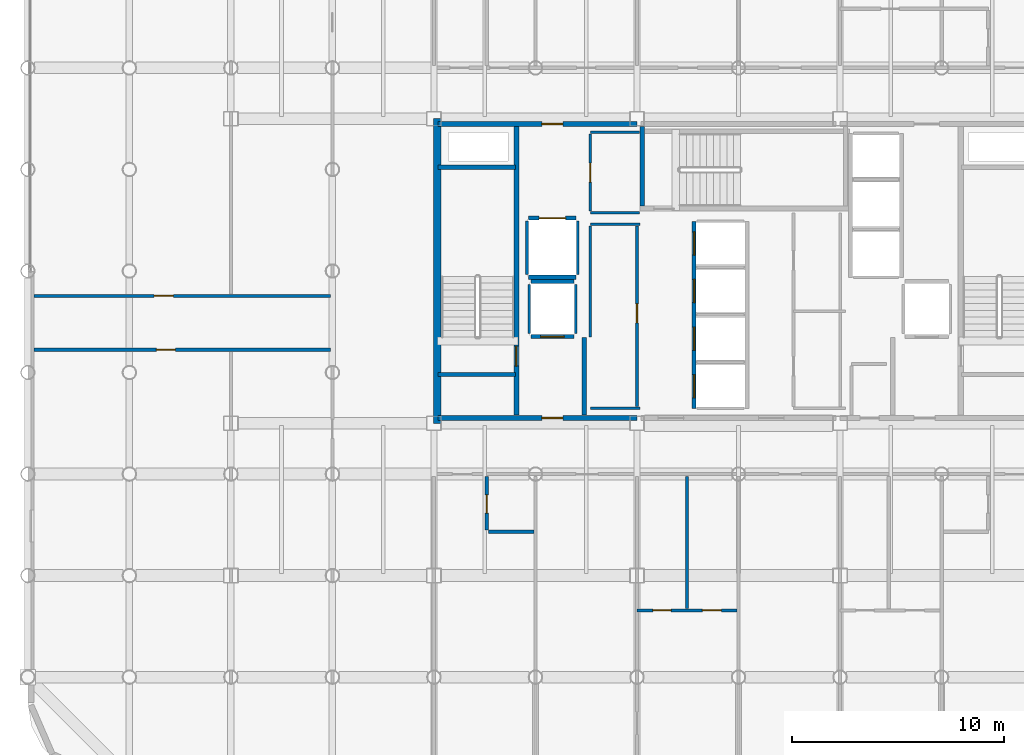
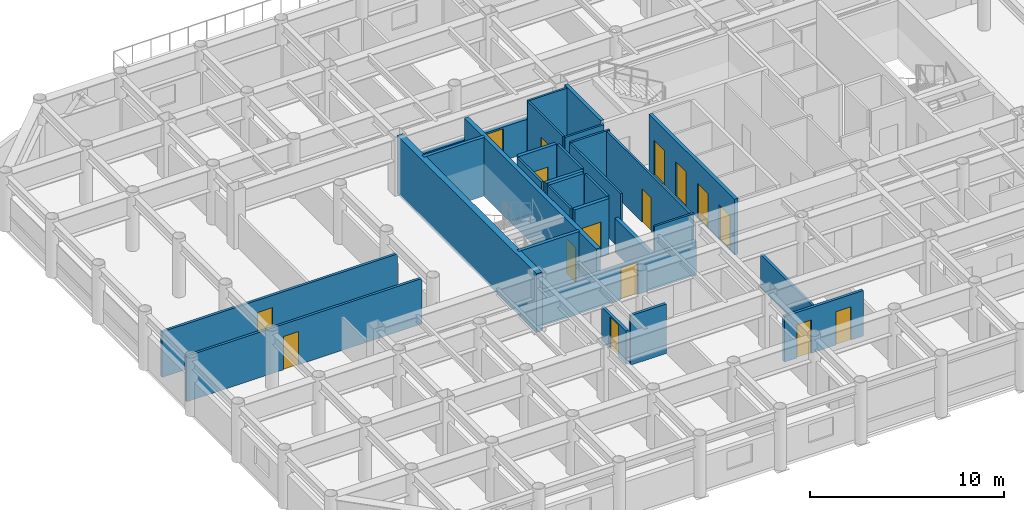
# One storey, part 17 of 22: 30 walls, 16 doors, 16 openings.
"""IFC4 building model written with IfcOpenShell, lengths in metres."""

from ifc_helpers import new_model, si_unit, direction, frame, frame_2d, origin, place, context, subcontext, project, spatial, rectangle, extrude, material, layer, layer_set, type_object, element, fill, save


model = new_model("IFC4")

# Units and contexts
model_context = context("Model", 3, precision=1e-05, world=origin(), true_north=direction((0.0, 1.0)))
body_context = subcontext(model_context, "Body", "Model", "MODEL_VIEW")
ifc_project = project(units=[si_unit("LENGTHUNIT", "METRE"), si_unit("AREAUNIT", "SQUARE_METRE"), si_unit("VOLUMEUNIT", "CUBIC_METRE"), si_unit("PLANEANGLEUNIT", "RADIAN"), si_unit("MASSUNIT", "GRAM", prefix="KILO")], contexts=[model_context])

# Site, building, storey
site_placement = place(None, origin())
site = spatial("IfcSite", under=ifc_project, at=site_placement, CompositionType="ELEMENT")
building_placement = place(site_placement, origin())
building = spatial("IfcBuilding", under=site, at=building_placement, Name="Kallvorn Hotel Tower", CompositionType="ELEMENT")
storey_placement = place(building_placement, frame((0.0, 0.0, 154.39990234375)))
storey = spatial("IfcBuildingStorey", under=building, at=storey_placement, Name="L38", CompositionType="ELEMENT", Elevation=154.39990234375)

# Wall
ifc_material_1 = material(Name="Concrete C50/60", Category="concrete")
ifc_layer_1 = layer(ifc_material_1, 0.35009765625)
ifc_layer_set_1 = layer_set([ifc_layer_1], Name="WL_CORE_350")
wall_type_1 = type_object("IfcWallType", Name="WL_CORE_350", PredefinedType="SHEAR", material=ifc_layer_set_1)
wall_1_placement = place(storey_placement, frame((-14.239990234375, -7.199951171875, -0.179931640625), z_axis=(0.0, 0.0, 1.0), x_axis=(0.0, 1.0, 0.0)))
element("IfcWall", 1, at=wall_1_placement, inside=storey, type_object=wall_type_1, Name="L38 Core West Shear Wall", PredefinedType="SHEAR", context=body_context, shape_type="SweptSolid", body=[
    extrude(rectangle(XDim=14.39990234375, YDim=0.35009765625, at=frame_2d((7.199951171875, 0.0))), origin(), (0.0, 0.0, 1.0), 3.699951171875),
])

# Wall, openings, doors
ifc_material_2 = material(Name="Fire-rated double-layer acoustic gypsum drywall EI 60")
ifc_layer_2 = layer(ifc_material_2, 0.159912109375)
ifc_layer_set_2 = layer_set([ifc_layer_2], Name="WL_DEMISE_160")
wall_type_2 = type_object("IfcWallType", Name="WL_DEMISE_160", PredefinedType="PARTITIONING", material=ifc_layer_set_2)
wall_2_placement = place(storey_placement, frame((-4.800048828125, -16.050048828125, 0.0), z_axis=(0.0, 0.0, 1.0), x_axis=(1.0, 0.0, 0.0)))
wall_2 = element("IfcWall", 2, at=wall_2_placement, inside=storey, type_object=wall_type_2, Name="L38 Suite 3802 Executive Bedroom Partition", PredefinedType="PARTITIONING", context=body_context, shape_type="SweptSolid", body=[
    extrude(rectangle(XDim=4.719970703125, YDim=0.159912109375, at=frame_2d((2.35986328125, 0.0))), origin(), (0.0, 0.0, 1.0), 2.8701171875),
])
opening_1_placement = place(wall_2_placement, frame((0.75, 0.0, 0.0)))
opening_1 = element("IfcOpeningElement", 3, at=opening_1_placement, cuts=wall_2, Name="Opening BD-I", PredefinedType="OPENING", context=body_context, shape_type="SweptSolid", body=[
    extrude(rectangle(XDim=0.860107421875, YDim=2.10009765625, at=frame_2d((0.43017578125, 1.050048828125))), frame((0.0, 0.094970703125, 0.0), z_axis=(0.0, -1.0, 0.0), x_axis=(1.0, 0.0, 0.0)), (0.0, 0.0, 1.0), 0.18994140625),
])
opening_2_placement = place(wall_2_placement, frame((3.090087890625, 0.0, 0.0)))
opening_2 = element("IfcOpeningElement", 4, at=opening_2_placement, cuts=wall_2, Name="Opening SVD1", PredefinedType="OPENING", context=body_context, shape_type="SweptSolid", body=[
    extrude(rectangle(XDim=0.89990234375, YDim=2.10009765625, at=frame_2d((0.449951171875, 1.050048828125))), frame((0.0, 0.094970703125, 0.0), z_axis=(0.0, -1.0, 0.0), x_axis=(1.0, 0.0, 0.0)), (0.0, 0.0, 1.0), 0.18994140625),
])
ifc_material_3 = material(Name="Solid-core walnut veneer fire-rated timber door leaf", Category="wood")
door_type_1 = type_object("IfcDoorType", Name="DR_BATH_860x2100", OperationType="NOTDEFINED", PredefinedType="DOOR", material=ifc_material_3)
door_1_placement = place(opening_1_placement, origin())
door_1 = element("IfcDoor", 5, at=door_1_placement, inside=storey, type_object=door_type_1, Name="L38 Suite 3802 En-Suite Bathroom Door", OperationType="SINGLE_SWING_LEFT", OverallHeight=2.10009765625, OverallWidth=0.860107421875, PredefinedType="DOOR", context=body_context, shape_type="SweptSolid", body=[
    extrude(rectangle(XDim=0.860107421875, YDim=2.10009765625, at=frame_2d((0.43017578125, 1.050048828125))), frame((0.0, 0.02490234375, 0.0), z_axis=(0.0, -1.0, 0.0), x_axis=(1.0, 0.0, 0.0)), (0.0, 0.0, 1.0), 0.050048828125),
])
fill(opening_1, door_1)
ifc_material_4 = material(Name="Galvanised painted steel fire-rated door assembly", Category="steel")
door_type_2 = type_object("IfcDoorType", Name="DR_SERV_900x2100", OperationType="NOTDEFINED", PredefinedType="DOOR", material=ifc_material_4)
door_2_placement = place(opening_2_placement, origin())
door_2 = element("IfcDoor", 6, at=door_2_placement, inside=storey, type_object=door_type_2, Name="L38 Suite 3802 Walk-In Dressing Closet Door", OperationType="SINGLE_SWING_LEFT", OverallHeight=2.10009765625, OverallWidth=0.89990234375, PredefinedType="DOOR", context=body_context, shape_type="SweptSolid", body=[
    extrude(rectangle(XDim=0.89990234375, YDim=2.10009765625, at=frame_2d((0.449951171875, 1.050048828125))), frame((0.0, 0.02490234375, 0.0), z_axis=(0.0, -1.0, 0.0), x_axis=(1.0, 0.0, 0.0)), (0.0, 0.0, 1.0), 0.050048828125),
])
fill(opening_2, door_2)

# Wall
wall_3_placement = place(storey_placement, frame((-11.81005859375, -12.320068359375, 0.0), z_axis=(0.0, 0.0, 1.0), x_axis=(1.0, 0.0, 0.0)))
element("IfcWall", 7, at=wall_3_placement, inside=storey, type_object=wall_type_2, Name="L38 Suite 3801 Superior Twin Room Partition", PredefinedType="PARTITIONING", context=body_context, shape_type="SweptSolid", body=[
    extrude(rectangle(XDim=2.130126953125, YDim=0.159912109375, at=frame_2d((1.06494140625, 0.0))), origin(), (0.0, 0.0, 1.0), 3.1201171875),
])

# Wall, opening, door
wall_4_placement = place(storey_placement, frame((-11.905029296875, -12.235107421875, 0.0), z_axis=(0.0, 0.0, 1.0), x_axis=(0.0, 1.0, 0.0)))
wall_4 = element("IfcWall", 8, at=wall_4_placement, inside=storey, type_object=wall_type_2, Name="L38 Suite 3801 Superior Twin Room Partition", PredefinedType="PARTITIONING", context=body_context, shape_type="SweptSolid", body=[
    extrude(rectangle(XDim=2.51513671875, YDim=0.159912109375, at=frame_2d((1.257568359375, 0.0))), origin(), (0.0, 0.0, 1.0), 2.1201171875),
])
opening_3_placement = place(wall_4_placement, frame((0.784912109375, 0.0, 0.0)))
opening_3 = element("IfcOpeningElement", 9, at=opening_3_placement, cuts=wall_4, Name="Opening BD-IA", PredefinedType="OPENING", context=body_context, shape_type="SweptSolid", body=[
    extrude(rectangle(XDim=0.860107421875, YDim=2.02001953125, at=frame_2d((0.43017578125, 1.010009765625))), frame((0.0, 0.094970703125, 0.0), z_axis=(0.0, -1.0, 0.0), x_axis=(1.0, 0.0, 0.0)), (0.0, 0.0, 1.0), 0.18994140625),
])
ifc_material_5 = material(Name="Solid-core walnut veneer fire-rated timber door leaf", Category="wood")
door_type_3 = type_object("IfcDoorType", Name="DR_BATH_860x2020", OperationType="NOTDEFINED", PredefinedType="DOOR", material=ifc_material_5)
door_3_placement = place(opening_3_placement, origin())
door_3 = element("IfcDoor", 10, at=door_3_placement, inside=storey, type_object=door_type_3, Name="L38 Suite 3801 En-Suite Bathroom Door", OperationType="SINGLE_SWING_RIGHT", OverallHeight=2.02001953125, OverallWidth=0.860107421875, PredefinedType="DOOR", context=body_context, shape_type="SweptSolid", body=[
    extrude(rectangle(XDim=0.860107421875, YDim=2.02001953125, at=frame_2d((0.43017578125, 1.010009765625))), frame((0.0, 0.02490234375, 0.0), z_axis=(0.0, -1.0, 0.0), x_axis=(1.0, 0.0, 0.0)), (0.0, 0.0, 1.0), 0.050048828125),
])
fill(opening_3, door_3)

# Walls
ifc_material_6 = material(Name="Concrete C40/50", Category="concrete")
ifc_layer_3 = layer(ifc_material_6, 0.219970703125)
ifc_layer_set_3 = layer_set([ifc_layer_3], Name="WL_FFL_220")
wall_type_3 = type_object("IfcWallType", Name="WL_FFL_220", PredefinedType="SOLIDWALL", material=ifc_layer_set_3)
wall_5_placement = place(storey_placement, frame((-7.300048828125, -6.820068359375, 0.0), z_axis=(0.0, 0.0, 1.0), x_axis=(0.0, 1.0, 0.0)))
element("IfcWall", 11, at=wall_5_placement, inside=storey, type_object=wall_type_3, Name="L38 Firefighting Lobby West Divider Wall", PredefinedType="SOLIDWALL", context=body_context, shape_type="SweptSolid", body=[
    extrude(rectangle(XDim=3.670166015625, YDim=0.219970703125, at=frame_2d((1.8349609375, 0.0))), origin(), (0.0, 0.0, 1.0), 2.1201171875),
])
ifc_material_7 = material(Name="Concrete C40/50", Category="concrete")
ifc_layer_4 = layer(ifc_material_7, 0.199951171875)
ifc_layer_set_4 = layer_set([ifc_layer_4], Name="WL_HOIST_200")
wall_type_4 = type_object("IfcWallType", Name="WL_HOIST_200", PredefinedType="SOLIDWALL", material=ifc_layer_set_4)
for number, where, z_axis, x_axis, name in (
    (12, (-14.199951171875, -4.89990234375, -0.179931640625), (0.0, 0.0, 1.0), (1.0, 0.0, 0.0), "L38 Stair ST1 South Wall"),
    (13, (-14.199951171875, 4.89990234375, -0.179931640625), (0.0, 0.0, 1.0), (1.0, 0.0, 0.0), "L38 Stair ST1 North Wall"),
):
    element("IfcWall", number, at=place(storey_placement, frame(where, z_axis=z_axis, x_axis=x_axis)), inside=storey, type_object=wall_type_4, Name=name, PredefinedType="SOLIDWALL", context=body_context, shape_type="SweptSolid", body=[
        extrude(rectangle(XDim=3.64990234375, YDim=0.199951171875, at=frame_2d((1.824951171875, 0.0))), origin(), (0.0, 0.0, 1.0), 3.699951171875),
    ])
wall_6_placement = place(storey_placement, frame((-4.550048828125, 3.080078125, -0.179931640625), z_axis=(0.0, 0.0, 1.0), x_axis=(0.0, 1.0, 0.0)))
element("IfcWall", 14, at=wall_6_placement, inside=storey, type_object=wall_type_4, Name="L38 Stair ST3 West Wall", PredefinedType="SOLIDWALL", context=body_context, shape_type="SweptSolid", body=[
    extrude(rectangle(XDim=3.739990234375, YDim=0.199951171875, at=frame_2d((1.8701171875, 0.0))), origin(), (0.0, 0.0, 1.0), 3.699951171875),
])

# Wall, openings, doors
wall_7_placement = place(storey_placement, frame((-2.10009765625, -6.5, 0.0), z_axis=(0.0, 0.0, 1.0), x_axis=(0.0, 1.0, 0.0)))
wall_7 = element("IfcWall", 15, at=wall_7_placement, inside=storey, type_object=wall_type_4, Name="L38 Lift Bank B2 Landing Wall", PredefinedType="SOLIDWALL", context=body_context, shape_type="SweptSolid", body=[
    extrude(rectangle(XDim=8.85009765625, YDim=0.199951171875, at=frame_2d((4.425048828125, 0.0))), origin(), (0.0, 0.0, 1.0), 3.52001953125),
])
opening_4_placement = place(wall_7_placement, frame((0.5, 0.0, 0.0)))
opening_4 = element("IfcOpeningElement", 16, at=opening_4_placement, cuts=wall_7, Name="Opening LD-PL-05", PredefinedType="OPENING", context=body_context, shape_type="SweptSolid", body=[
    extrude(rectangle(XDim=1.10009765625, YDim=2.199951171875, at=frame_2d((0.550048828125, 1.10009765625))), frame((0.0, 0.114990234375, 0.0), z_axis=(0.0, -1.0, 0.0), x_axis=(1.0, 0.0, 0.0)), (0.0, 0.0, 1.0), 0.22998046875),
])
opening_5_placement = place(wall_7_placement, frame((2.75, 0.0, 0.0)))
opening_5 = element("IfcOpeningElement", 17, at=opening_5_placement, cuts=wall_7, Name="Opening LD-PL-06", PredefinedType="OPENING", context=body_context, shape_type="SweptSolid", body=[
    extrude(rectangle(XDim=1.10009765625, YDim=2.199951171875, at=frame_2d((0.550048828125, 1.10009765625))), frame((0.0, 0.114990234375, 0.0), z_axis=(0.0, -1.0, 0.0), x_axis=(1.0, 0.0, 0.0)), (0.0, 0.0, 1.0), 0.22998046875),
])
opening_6_placement = place(wall_7_placement, frame((5.0, 0.0, 0.0)))
opening_6 = element("IfcOpeningElement", 18, at=opening_6_placement, cuts=wall_7, Name="Opening LD-PL-07", PredefinedType="OPENING", context=body_context, shape_type="SweptSolid", body=[
    extrude(rectangle(XDim=1.10009765625, YDim=2.199951171875, at=frame_2d((0.550048828125, 1.10009765625))), frame((0.0, 0.114990234375, 0.0), z_axis=(0.0, -1.0, 0.0), x_axis=(1.0, 0.0, 0.0)), (0.0, 0.0, 1.0), 0.22998046875),
])
opening_7_placement = place(wall_7_placement, frame((7.25, 0.0, 0.0)))
opening_7 = element("IfcOpeningElement", 19, at=opening_7_placement, cuts=wall_7, Name="Opening LD-PL-08", PredefinedType="OPENING", context=body_context, shape_type="SweptSolid", body=[
    extrude(rectangle(XDim=1.10009765625, YDim=2.199951171875, at=frame_2d((0.550048828125, 1.10009765625))), frame((0.0, 0.114990234375, 0.0), z_axis=(0.0, -1.0, 0.0), x_axis=(1.0, 0.0, 0.0)), (0.0, 0.0, 1.0), 0.22998046875),
])
ifc_material_8 = material(Name="Brushed stainless-steel automatic sliding lift landing door", Category="steel")
door_type_4 = type_object("IfcDoorType", Name="LD_PASS_1100x2200", OperationType="SLIDING_TO_LEFT", PredefinedType="DOOR", material=ifc_material_8)
door_4_placement = place(opening_4_placement, origin())
door_4 = element("IfcDoor", 20, at=door_4_placement, inside=storey, type_object=door_type_4, Name="L38 Lift Landing Sliding Door LD-PL-05", OperationType="SLIDING_TO_LEFT", OverallHeight=2.199951171875, OverallWidth=1.10009765625, PredefinedType="DOOR", context=body_context, shape_type="SweptSolid", body=[
    extrude(rectangle(XDim=1.10009765625, YDim=2.199951171875, at=frame_2d((0.550048828125, 1.10009765625))), frame((0.0, 0.02490234375, 0.0), z_axis=(0.0, -1.0, 0.0), x_axis=(1.0, 0.0, 0.0)), (0.0, 0.0, 1.0), 0.050048828125),
])
fill(opening_4, door_4)
door_5_placement = place(opening_5_placement, origin())
door_5 = element("IfcDoor", 21, at=door_5_placement, inside=storey, type_object=door_type_4, Name="L38 Lift Landing Sliding Door LD-PL-06", OperationType="SLIDING_TO_LEFT", OverallHeight=2.199951171875, OverallWidth=1.10009765625, PredefinedType="DOOR", context=body_context, shape_type="SweptSolid", body=[
    extrude(rectangle(XDim=1.10009765625, YDim=2.199951171875, at=frame_2d((0.550048828125, 1.10009765625))), frame((0.0, 0.02490234375, 0.0), z_axis=(0.0, -1.0, 0.0), x_axis=(1.0, 0.0, 0.0)), (0.0, 0.0, 1.0), 0.050048828125),
])
fill(opening_5, door_5)
door_6_placement = place(opening_6_placement, origin())
door_6 = element("IfcDoor", 22, at=door_6_placement, inside=storey, type_object=door_type_4, Name="L38 Lift Landing Sliding Door LD-PL-07", OperationType="SLIDING_TO_LEFT", OverallHeight=2.199951171875, OverallWidth=1.10009765625, PredefinedType="DOOR", context=body_context, shape_type="SweptSolid", body=[
    extrude(rectangle(XDim=1.10009765625, YDim=2.199951171875, at=frame_2d((0.550048828125, 1.10009765625))), frame((0.0, 0.02490234375, 0.0), z_axis=(0.0, -1.0, 0.0), x_axis=(1.0, 0.0, 0.0)), (0.0, 0.0, 1.0), 0.050048828125),
])
fill(opening_6, door_6)
door_7_placement = place(opening_7_placement, origin())
door_7 = element("IfcDoor", 23, at=door_7_placement, inside=storey, type_object=door_type_4, Name="L38 Lift Landing Sliding Door LD-PL-08", OperationType="SLIDING_TO_LEFT", OverallHeight=2.199951171875, OverallWidth=1.10009765625, PredefinedType="DOOR", context=body_context, shape_type="SweptSolid", body=[
    extrude(rectangle(XDim=1.10009765625, YDim=2.199951171875, at=frame_2d((0.550048828125, 1.10009765625))), frame((0.0, 0.02490234375, 0.0), z_axis=(0.0, -1.0, 0.0), x_axis=(1.0, 0.0, 0.0)), (0.0, 0.0, 1.0), 0.050048828125),
])
fill(opening_7, door_7)

# Wall, opening, door
wall_8_placement = place(storey_placement, frame((-9.820068359375, -3.10009765625, 0.0), z_axis=(0.0, 0.0, 1.0), x_axis=(1.0, 0.0, 0.0)))
wall_8 = element("IfcWall", 24, at=wall_8_placement, inside=storey, type_object=wall_type_4, Name="L38 FL-1 Landing Wall", PredefinedType="SOLIDWALL", context=body_context, shape_type="SweptSolid", body=[
    extrude(rectangle(XDim=2.0400390625, YDim=0.199951171875, at=frame_2d((1.02001953125, 0.0))), origin(), (0.0, 0.0, 1.0), 3.52001953125),
])
opening_8_placement = place(wall_8_placement, frame((0.469970703125, 0.0, 0.0)))
opening_8 = element("IfcOpeningElement", 25, at=opening_8_placement, cuts=wall_8, Name="Opening LD-FL-1", PredefinedType="OPENING", context=body_context, shape_type="SweptSolid", body=[
    extrude(rectangle(XDim=1.10009765625, YDim=2.199951171875, at=frame_2d((0.550048828125, 1.10009765625))), frame((0.0, 0.114990234375, 0.0), z_axis=(0.0, -1.0, 0.0), x_axis=(1.0, 0.0, 0.0)), (0.0, 0.0, 1.0), 0.22998046875),
])
door_8_placement = place(opening_8_placement, origin())
door_8 = element("IfcDoor", 26, at=door_8_placement, inside=storey, type_object=door_type_4, Name="L38 Lift Landing Sliding Door LD-FL-1", OperationType="SLIDING_TO_LEFT", OverallHeight=2.199951171875, OverallWidth=1.10009765625, PredefinedType="DOOR", context=body_context, shape_type="SweptSolid", body=[
    extrude(rectangle(XDim=1.10009765625, YDim=2.199951171875, at=frame_2d((0.550048828125, 1.10009765625))), frame((0.0, 0.02490234375, 0.0), z_axis=(0.0, -1.0, 0.0), x_axis=(1.0, 0.0, 0.0)), (0.0, 0.0, 1.0), 0.050048828125),
])
fill(opening_8, door_8)

# Wall
wall_9_placement = place(storey_placement, frame((-9.820068359375, -0.5, 0.0), z_axis=(0.0, 0.0, 1.0), x_axis=(1.0, 0.0, 0.0)))
element("IfcWall", 27, at=wall_9_placement, inside=storey, type_object=wall_type_4, Name="L38 FL-1 Rear Shaft Wall", PredefinedType="SOLIDWALL", context=body_context, shape_type="SweptSolid", body=[
    extrude(rectangle(XDim=2.0400390625, YDim=0.199951171875, at=frame_2d((1.02001953125, 0.0))), origin(), (0.0, 0.0, 1.0), 3.52001953125),
])

# Wall, opening, door
wall_10_placement = place(storey_placement, frame((-9.919921875, 2.5, 0.0), z_axis=(0.0, 0.0, 1.0), x_axis=(1.0, 0.0, 0.0)))
wall_10 = element("IfcWall", 28, at=wall_10_placement, inside=storey, type_object=wall_type_4, Name="L38 SV-01 Landing Wall", PredefinedType="SOLIDWALL", context=body_context, shape_type="SweptSolid", body=[
    extrude(rectangle(XDim=2.239990234375, YDim=0.199951171875, at=frame_2d((1.1201171875, 0.0))), origin(), (0.0, 0.0, 1.0), 3.52001953125),
])
opening_9_placement = place(wall_10_placement, frame((0.4951171875, 0.0, 0.0)))
opening_9 = element("IfcOpeningElement", 29, at=opening_9_placement, cuts=wall_10, Name="Opening LD-SV-01", PredefinedType="OPENING", context=body_context, shape_type="SweptSolid", body=[
    extrude(rectangle(XDim=1.25, YDim=2.25, at=frame_2d((0.625, 1.125))), frame((0.0, 0.114990234375, 0.0), z_axis=(0.0, -1.0, 0.0), x_axis=(1.0, 0.0, 0.0)), (0.0, 0.0, 1.0), 0.22998046875),
])
ifc_material_9 = material(Name="Brushed stainless-steel automatic sliding lift landing door", Category="steel")
door_type_5 = type_object("IfcDoorType", Name="LD_SERV_1250x2250", OperationType="SLIDING_TO_LEFT", PredefinedType="DOOR", material=ifc_material_9)
door_9_placement = place(opening_9_placement, origin())
door_9 = element("IfcDoor", 30, at=door_9_placement, inside=storey, type_object=door_type_5, Name="L38 Lift Landing Sliding Door LD-SV-01", OperationType="SLIDING_TO_LEFT", OverallHeight=2.25, OverallWidth=1.25, PredefinedType="DOOR", context=body_context, shape_type="SweptSolid", body=[
    extrude(rectangle(XDim=1.25, YDim=2.25, at=frame_2d((0.625, 1.125))), frame((0.0, 0.02490234375, 0.0), z_axis=(0.0, -1.0, 0.0), x_axis=(1.0, 0.0, 0.0)), (0.0, 0.0, 1.0), 0.050048828125),
])
fill(opening_9, door_9)

# Walls
wall_11_placement = place(storey_placement, frame((-9.919921875, -0.300048828125, 0.0), z_axis=(0.0, 0.0, 1.0), x_axis=(1.0, 0.0, 0.0)))
element("IfcWall", 31, at=wall_11_placement, inside=storey, type_object=wall_type_4, Name="L38 SV-01 Rear Shaft Wall", PredefinedType="SOLIDWALL", context=body_context, shape_type="SweptSolid", body=[
    extrude(rectangle(XDim=2.239990234375, YDim=0.199951171875, at=frame_2d((1.1201171875, 0.0))), origin(), (0.0, 0.0, 1.0), 3.52001953125),
])
ifc_material_10 = material(Name="Fire-rated double-layer acoustic gypsum drywall EI 60")
ifc_layer_5 = layer(ifc_material_10, 0.1201171875)
ifc_layer_set_5 = layer_set([ifc_layer_5], Name="WL_INT_120")
wall_type_5 = type_object("IfcWallType", Name="WL_INT_120", PredefinedType="PARTITIONING", material=ifc_layer_set_5)
for number, where, z_axis, x_axis, name in (
    (32, (-9.89990234375, -2.9599609375, 0.0), (0.0, 0.0, 1.0), (0.0, 1.0, 0.0), "L38 FL-1 West Shaft Wall"),
    (33, (-7.699951171875, -2.9599609375, 0.0), (0.0, 0.0, 1.0), (0.0, 1.0, 0.0), "L38 FL-1 East Shaft Wall"),
):
    element("IfcWall", number, at=place(storey_placement, frame(where, z_axis=z_axis, x_axis=x_axis)), inside=storey, type_object=wall_type_5, Name=name, PredefinedType="PARTITIONING", context=body_context, shape_type="SweptSolid", body=[
        extrude(rectangle(XDim=2.320068359375, YDim=0.1201171875, at=frame_2d((1.16015625, 0.0))), origin(), (0.0, 0.0, 1.0), 3.52001953125),
    ])
for number, where, z_axis, x_axis, name in (
    (34, (-10.0, -0.159912109375, 0.0), (0.0, 0.0, 1.0), (0.0, 1.0, 0.0), "L38 SV-01 West Shaft Wall"),
    (35, (-7.60009765625, -0.159912109375, 0.0), (0.0, 0.0, 1.0), (0.0, 1.0, 0.0), "L38 SV-01 East Shaft Wall"),
):
    element("IfcWall", number, at=place(storey_placement, frame(where, z_axis=z_axis, x_axis=x_axis)), inside=storey, type_object=wall_type_5, Name=name, PredefinedType="PARTITIONING", context=body_context, shape_type="SweptSolid", body=[
        extrude(rectangle(XDim=2.52001953125, YDim=0.1201171875, at=frame_2d((1.260009765625, 0.0))), origin(), (0.0, 0.0, 1.0), 3.52001953125),
    ])
for number, where, z_axis, x_axis, name in (
    (36, (-7.0, -6.5, 0.0), (0.0, 0.0, 1.0), (1.0, 0.0, 0.0), "L38 Recaptured Butler and Room-Service Pantry Partition"),
    (37, (-7.0, 2.199951171875, 0.0), (0.0, 0.0, 1.0), (1.0, 0.0, 0.0), "L38 Recaptured Butler and Room-Service Pantry Partition"),
):
    element("IfcWall", number, at=place(storey_placement, frame(where, z_axis=z_axis, x_axis=x_axis)), inside=storey, type_object=wall_type_5, Name=name, PredefinedType="PARTITIONING", context=body_context, shape_type="SweptSolid", body=[
        extrude(rectangle(XDim=2.35009765625, YDim=0.1201171875, at=frame_2d((1.175048828125, 0.0))), origin(), (0.0, 0.0, 1.0), 3.52001953125),
    ])
for number, where, z_axis, x_axis, name in (
    (38, (-7.0, 2.75, 0.0), (0.0, 0.0, 1.0), (1.0, 0.0, 0.0), "L38 Recaptured Valet and Linen Reserve Store Partition"),
    (39, (-7.0, 6.550048828125, 0.0), (0.0, 0.0, 1.0), (1.0, 0.0, 0.0), "L38 Recaptured Valet and Linen Reserve Store Partition"),
):
    element("IfcWall", number, at=place(storey_placement, frame(where, z_axis=z_axis, x_axis=x_axis)), inside=storey, type_object=wall_type_5, Name=name, PredefinedType="PARTITIONING", context=body_context, shape_type="SweptSolid", body=[
        extrude(rectangle(XDim=2.31005859375, YDim=0.1201171875, at=frame_2d((1.155029296875, 0.0))), origin(), (0.0, 0.0, 1.0), 3.52001953125),
    ])
wall_12_placement = place(storey_placement, frame((-7.0, -3.110107421875, 0.0), z_axis=(0.0, 0.0, 1.0), x_axis=(0.0, 1.0, 0.0)))
element("IfcWall", 40, at=wall_12_placement, inside=storey, type_object=wall_type_5, Name="L38 Recaptured Butler and Room-Service Pantry Partition", PredefinedType="PARTITIONING", context=body_context, shape_type="SweptSolid", body=[
    extrude(rectangle(XDim=5.22509765625, YDim=0.1201171875, at=frame_2d((2.612548828125, 0.0))), origin(), (0.0, 0.0, 1.0), 3.52001953125),
])

# Wall, opening, door
wall_13_placement = place(storey_placement, frame((-7.0, 2.8349609375, 0.0), z_axis=(0.0, 0.0, 1.0), x_axis=(0.0, 1.0, 0.0)))
wall_13 = element("IfcWall", 41, at=wall_13_placement, inside=storey, type_object=wall_type_5, Name="L38 Recaptured Valet and Linen Reserve Store Partition", PredefinedType="PARTITIONING", context=body_context, shape_type="SweptSolid", body=[
    extrude(rectangle(XDim=3.630126953125, YDim=0.1201171875, at=frame_2d((1.81494140625, 0.0))), origin(), (0.0, 0.0, 1.0), 3.52001953125),
])
opening_10_placement = place(wall_13_placement, frame((1.364990234375, 0.0, 0.0)))
opening_10 = element("IfcOpeningElement", 42, at=opening_10_placement, cuts=wall_13, Name="Opening SVD1", PredefinedType="OPENING", context=body_context, shape_type="SweptSolid", body=[
    extrude(rectangle(XDim=0.89990234375, YDim=2.10009765625, at=frame_2d((0.449951171875, 1.050048828125))), frame((0.0, 0.074951171875, 0.0), z_axis=(0.0, -1.0, 0.0), x_axis=(1.0, 0.0, 0.0)), (0.0, 0.0, 1.0), 0.150146484375),
])
door_10_placement = place(opening_10_placement, origin())
door_10 = element("IfcDoor", 43, at=door_10_placement, inside=storey, type_object=door_type_2, Name="L38 Recaptured Valet and Linen Reserve Store Door", OperationType="SINGLE_SWING_LEFT", OverallHeight=2.10009765625, OverallWidth=0.89990234375, PredefinedType="DOOR", context=body_context, shape_type="SweptSolid", body=[
    extrude(rectangle(XDim=0.89990234375, YDim=2.10009765625, at=frame_2d((0.449951171875, 1.050048828125))), frame((0.0, 0.02490234375, 0.0), z_axis=(0.0, -1.0, 0.0), x_axis=(1.0, 0.0, 0.0)), (0.0, 0.0, 1.0), 0.050048828125),
])
fill(opening_10, door_10)

wall_14_placement = place(storey_placement, frame((-4.800048828125, -6.4150390625, 0.0), z_axis=(0.0, 0.0, 1.0), x_axis=(0.0, 1.0, 0.0)))
wall_14 = element("IfcWall", 44, at=wall_14_placement, inside=storey, type_object=wall_type_5, Name="L38 Recaptured Butler and Room-Service Pantry Partition", PredefinedType="PARTITIONING", context=body_context, shape_type="SweptSolid", body=[
    extrude(rectangle(XDim=8.530029296875, YDim=0.1201171875, at=frame_2d((4.26513671875, 0.0))), origin(), (0.0, 0.0, 1.0), 3.52001953125),
])
opening_11_placement = place(wall_14_placement, frame((3.965087890625, 0.0, 0.0)))
opening_11 = element("IfcOpeningElement", 45, at=opening_11_placement, cuts=wall_14, Name="Opening SVD1", PredefinedType="OPENING", context=body_context, shape_type="SweptSolid", body=[
    extrude(rectangle(XDim=0.89990234375, YDim=2.10009765625, at=frame_2d((0.449951171875, 1.050048828125))), frame((0.0, 0.074951171875, 0.0), z_axis=(0.0, -1.0, 0.0), x_axis=(1.0, 0.0, 0.0)), (0.0, 0.0, 1.0), 0.150146484375),
])
door_11_placement = place(opening_11_placement, origin())
door_11 = element("IfcDoor", 46, at=door_11_placement, inside=storey, type_object=door_type_2, Name="L38 Recaptured Butler and Room-Service Pantry Door", OperationType="SINGLE_SWING_LEFT", OverallHeight=2.10009765625, OverallWidth=0.89990234375, PredefinedType="DOOR", context=body_context, shape_type="SweptSolid", body=[
    extrude(rectangle(XDim=0.89990234375, YDim=2.10009765625, at=frame_2d((0.449951171875, 1.050048828125))), frame((0.0, 0.02490234375, 0.0), z_axis=(0.0, -1.0, 0.0), x_axis=(1.0, 0.0, 0.0)), (0.0, 0.0, 1.0), 0.050048828125),
])
fill(opening_11, door_11)

ifc_material_11 = material(Name="Fire-rated double-layer acoustic gypsum drywall EI 60")
ifc_layer_6 = layer(ifc_material_11, 0.14990234375)
ifc_layer_set_6 = layer_set([ifc_layer_6], Name="WL_PART_150")
wall_type_6 = type_object("IfcWallType", Name="WL_PART_150", PredefinedType="PARTITIONING", material=ifc_layer_set_6)
wall_15_placement = place(storey_placement, frame((-33.31005859375, -3.719970703125, 0.0), z_axis=(0.0, 0.0, 1.0), x_axis=(1.0, 0.0, 0.0)))
wall_15 = element("IfcWall", 47, at=wall_15_placement, inside=storey, type_object=wall_type_6, Name="L38 L38 Outer South-West Tea Bar Partition", PredefinedType="PARTITIONING", context=body_context, shape_type="SweptSolid", body=[
    extrude(rectangle(XDim=14.030029296875, YDim=0.14990234375, at=frame_2d((7.01513671875, 0.0))), origin(), (0.0, 0.0, 1.0), 2.8701171875),
])
opening_12_placement = place(wall_15_placement, frame((5.78515625, 0.0, 0.0)))
opening_12 = element("IfcOpeningElement", 48, at=opening_12_placement, cuts=wall_15, Name="Opening SVD1", PredefinedType="OPENING", context=body_context, shape_type="SweptSolid", body=[
    extrude(rectangle(XDim=0.89990234375, YDim=2.10009765625, at=frame_2d((0.449951171875, 1.050048828125))), frame((0.0, 0.08984375, 0.0), z_axis=(0.0, -1.0, 0.0), x_axis=(1.0, 0.0, 0.0)), (0.0, 0.0, 1.0), 0.179931640625),
])
door_12_placement = place(opening_12_placement, origin())
door_12 = element("IfcDoor", 49, at=door_12_placement, inside=storey, type_object=door_type_2, Name="L38 L38 Outer South-West Tea Bar Door", OperationType="SINGLE_SWING_RIGHT", OverallHeight=2.10009765625, OverallWidth=0.89990234375, PredefinedType="DOOR", context=body_context, shape_type="SweptSolid", body=[
    extrude(rectangle(XDim=0.89990234375, YDim=2.10009765625, at=frame_2d((0.449951171875, 1.050048828125))), frame((0.0, 0.02490234375, 0.0), z_axis=(0.0, -1.0, 0.0), x_axis=(1.0, 0.0, 0.0)), (0.0, 0.0, 1.0), 0.050048828125),
])
fill(opening_12, door_12)

wall_16_placement = place(storey_placement, frame((-33.31005859375, -1.179931640625, 0.0), z_axis=(0.0, 0.0, 1.0), x_axis=(1.0, 0.0, 0.0)))
wall_16 = element("IfcWall", 50, at=wall_16_placement, inside=storey, type_object=wall_type_6, Name="L38 L38 Outer North-West Fitness Gymnasium Partition", PredefinedType="PARTITIONING", context=body_context, shape_type="SweptSolid", body=[
    extrude(rectangle(XDim=14.030029296875, YDim=0.14990234375, at=frame_2d((7.01513671875, 0.0))), origin(), (0.0, 0.0, 1.0), 2.8701171875),
])
opening_13_placement = place(wall_16_placement, frame((5.685791015625, 0.0, 0.0)))
opening_13 = element("IfcOpeningElement", 51, at=opening_13_placement, cuts=wall_16, Name="Opening SVD1", PredefinedType="OPENING", context=body_context, shape_type="SweptSolid", body=[
    extrude(rectangle(XDim=0.89990234375, YDim=2.10009765625, at=frame_2d((0.449951171875, 1.050048828125))), frame((0.0, 0.08984375, 0.0), z_axis=(0.0, -1.0, 0.0), x_axis=(1.0, 0.0, 0.0)), (0.0, 0.0, 1.0), 0.179931640625),
])
door_13_placement = place(opening_13_placement, origin())
door_13 = element("IfcDoor", 52, at=door_13_placement, inside=storey, type_object=door_type_2, Name="L38 L38 Outer North-West Fitness Gymnasium Door", OperationType="SINGLE_SWING_RIGHT", OverallHeight=2.10009765625, OverallWidth=0.89990234375, PredefinedType="DOOR", context=body_context, shape_type="SweptSolid", body=[
    extrude(rectangle(XDim=0.89990234375, YDim=2.10009765625, at=frame_2d((0.449951171875, 1.050048828125))), frame((0.0, 0.02490234375, 0.0), z_axis=(0.0, -1.0, 0.0), x_axis=(1.0, 0.0, 0.0)), (0.0, 0.0, 1.0), 0.050048828125),
])
fill(opening_13, door_13)

# Wall
wall_17_placement = place(storey_placement, frame((-2.43994140625, -15.965087890625, 0.0), z_axis=(0.0, 0.0, 1.0), x_axis=(0.0, 1.0, 0.0)))
element("IfcWall", 53, at=wall_17_placement, inside=storey, type_object=wall_type_6, Name="L38 Suite 3802 Walk-In Dressing Closet Partition", PredefinedType="PARTITIONING", context=body_context, shape_type="SweptSolid", body=[
    extrude(rectangle(XDim=6.2451171875, YDim=0.14990234375, at=frame_2d((3.12255859375, 0.0))), origin(), (0.0, 0.0, 1.0), 2.1201171875),
])

# Wall, opening, door
ifc_material_12 = material(Name="Concrete C40/50", Category="concrete")
ifc_layer_7 = layer(ifc_material_12, 0.25)
ifc_layer_set_7 = layer_set([ifc_layer_7], Name="WL_SHAFT_250")
wall_type_7 = type_object("IfcWallType", Name="WL_SHAFT_250", PredefinedType="SOLIDWALL", material=ifc_layer_set_7)
wall_18_placement = place(storey_placement, frame((-14.199951171875, -6.949951171875, 0.0), z_axis=(0.0, 0.0, 1.0), x_axis=(1.0, 0.0, 0.0)))
wall_18 = element("IfcWall", 54, at=wall_18_placement, inside=storey, type_object=wall_type_7, Name="L38 Core South-West Wall", PredefinedType="SOLIDWALL", context=body_context, shape_type="SweptSolid", body=[
    extrude(rectangle(XDim=9.39990234375, YDim=0.25, at=frame_2d((4.699951171875, 0.0))), origin(), (0.0, 0.0, 1.0), 2.1201171875),
])
opening_14_placement = place(wall_18_placement, frame((4.89990234375, 0.0, 0.0)))
opening_14 = element("IfcOpeningElement", 55, at=opening_14_placement, cuts=wall_18, Name="Opening FD1A", PredefinedType="OPENING", context=body_context, shape_type="SweptSolid", body=[
    extrude(rectangle(XDim=1.0, YDim=2.02001953125, at=frame_2d((0.5, 1.010009765625))), frame((0.0, 0.139892578125, 0.0), z_axis=(0.0, -1.0, 0.0), x_axis=(1.0, 0.0, 0.0)), (0.0, 0.0, 1.0), 0.280029296875),
])
ifc_material_13 = material(Name="Galvanised painted steel fire-rated door assembly", Category="steel")
door_type_6 = type_object("IfcDoorType", Name="DR_FFL_1000x2020", OperationType="NOTDEFINED", PredefinedType="DOOR", material=ifc_material_13)
door_14_placement = place(opening_14_placement, origin())
door_14 = element("IfcDoor", 56, at=door_14_placement, inside=storey, type_object=door_type_6, Name="L38 Firefighting Lobby West Door", OperationType="SINGLE_SWING_RIGHT", OverallHeight=2.02001953125, OverallWidth=1.0, PredefinedType="DOOR", context=body_context, shape_type="SweptSolid", body=[
    extrude(rectangle(XDim=1.0, YDim=2.02001953125, at=frame_2d((0.5, 1.010009765625))), frame((0.0, 0.02490234375, 0.0), z_axis=(0.0, -1.0, 0.0), x_axis=(1.0, 0.0, 0.0)), (0.0, 0.0, 1.0), 0.050048828125),
])
fill(opening_14, door_14)

wall_19_placement = place(storey_placement, frame((-14.199951171875, 6.949951171875, 0.0), z_axis=(0.0, 0.0, 1.0), x_axis=(1.0, 0.0, 0.0)))
wall_19 = element("IfcWall", 57, at=wall_19_placement, inside=storey, type_object=wall_type_7, Name="L38 Core North-West Wall", PredefinedType="SOLIDWALL", context=body_context, shape_type="SweptSolid", body=[
    extrude(rectangle(XDim=9.39990234375, YDim=0.25, at=frame_2d((4.699951171875, 0.0))), origin(), (0.0, 0.0, 1.0), 2.1201171875),
])
opening_15_placement = place(wall_19_placement, frame((4.89990234375, 0.0, 0.0)))
opening_15 = element("IfcOpeningElement", 58, at=opening_15_placement, cuts=wall_19, Name="Opening FD1A", PredefinedType="OPENING", context=body_context, shape_type="SweptSolid", body=[
    extrude(rectangle(XDim=1.0, YDim=2.02001953125, at=frame_2d((0.5, 1.010009765625))), frame((0.0, 0.139892578125, 0.0), z_axis=(0.0, -1.0, 0.0), x_axis=(1.0, 0.0, 0.0)), (0.0, 0.0, 1.0), 0.280029296875),
])
door_15_placement = place(opening_15_placement, origin())
door_15 = element("IfcDoor", 59, at=door_15_placement, inside=storey, type_object=door_type_6, Name="L38 Service Lift Lobby Door", OperationType="SINGLE_SWING_LEFT", OverallHeight=2.02001953125, OverallWidth=1.0, PredefinedType="DOOR", context=body_context, shape_type="SweptSolid", body=[
    extrude(rectangle(XDim=1.0, YDim=2.02001953125, at=frame_2d((0.5, 1.010009765625))), frame((0.0, 0.02490234375, 0.0), z_axis=(0.0, -1.0, 0.0), x_axis=(1.0, 0.0, 0.0)), (0.0, 0.0, 1.0), 0.050048828125),
])
fill(opening_15, door_15)

wall_20_placement = place(storey_placement, frame((-10.5, -6.820068359375, -0.179931640625), z_axis=(0.0, 0.0, 1.0), x_axis=(0.0, 1.0, 0.0)))
wall_20 = element("IfcWall", 60, at=wall_20_placement, inside=storey, type_object=wall_type_7, Name="L38 Stair ST1 Shaft Wall", PredefinedType="SOLIDWALL", context=body_context, shape_type="SweptSolid", body=[
    extrude(rectangle(XDim=13.64013671875, YDim=0.25, at=frame_2d((6.820068359375, 0.0))), origin(), (0.0, 0.0, 1.0), 3.699951171875),
])
opening_16_placement = place(wall_20_placement, frame((2.320068359375, 0.0, 0.179931640625)))
opening_16 = element("IfcOpeningElement", 61, at=opening_16_placement, cuts=wall_20, Name="Opening SD1", PredefinedType="OPENING", context=body_context, shape_type="SweptSolid", body=[
    extrude(rectangle(XDim=0.949951171875, YDim=2.14990234375, at=frame_2d((0.47509765625, 1.074951171875))), frame((0.0, 0.139892578125, 0.0), z_axis=(0.0, -1.0, 0.0), x_axis=(1.0, 0.0, 0.0)), (0.0, 0.0, 1.0), 0.280029296875),
])
ifc_material_14 = material(Name="Galvanised painted steel fire-rated door assembly", Category="steel")
door_type_7 = type_object("IfcDoorType", Name="DR_STAIR_950x2150", OperationType="NOTDEFINED", PredefinedType="DOOR", material=ifc_material_14)
door_16_placement = place(opening_16_placement, origin())
door_16 = element("IfcDoor", 62, at=door_16_placement, inside=storey, type_object=door_type_7, Name="L38 Exit Stair ST1 Fire Door", OperationType="SINGLE_SWING_LEFT", OverallHeight=2.14990234375, OverallWidth=0.949951171875, PredefinedType="DOOR", context=body_context, shape_type="SweptSolid", body=[
    extrude(rectangle(XDim=0.949951171875, YDim=2.14990234375, at=frame_2d((0.47509765625, 1.074951171875))), frame((0.0, 0.02490234375, 0.0), z_axis=(0.0, -1.0, 0.0), x_axis=(1.0, 0.0, 0.0)), (0.0, 0.0, 1.0), 0.050048828125),
])
fill(opening_16, door_16)

save(model, "model.ifc")
